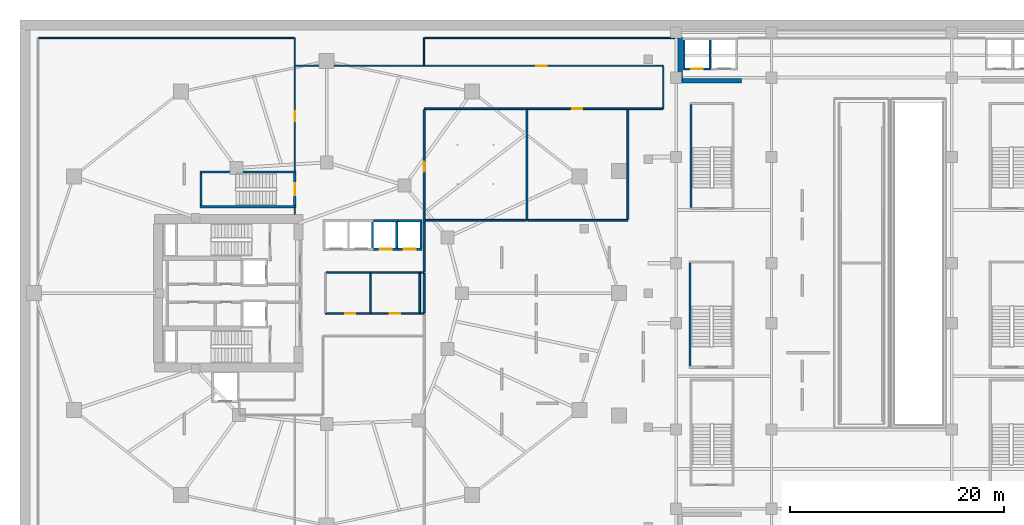
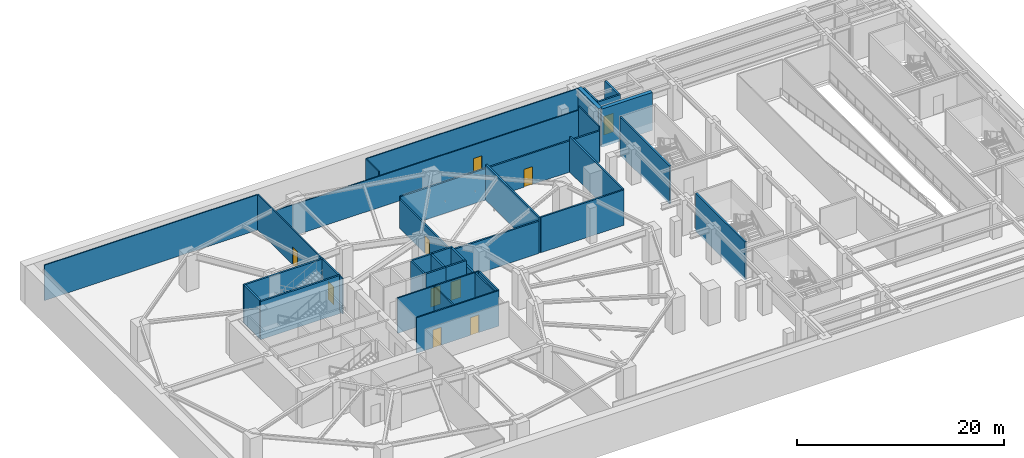
# One storey, part 7 of 16: 36 walls, 10 doors, 10 openings.
"""IFC4 building model written with IfcOpenShell, lengths in metres."""

from ifc_helpers import new_model, si_unit, direction, frame, frame_2d, origin, place, context, subcontext, project, spatial, rectangle, extrude, material, layer, layer_set, type_object, element, fill, save


model = new_model("IFC4")

# Units and contexts
model_context = context("Model", 3, precision=1e-05, world=origin(), true_north=direction((0.0, 1.0)))
body_context = subcontext(model_context, "Body", "Model", "MODEL_VIEW")
ifc_project = project(units=[si_unit("LENGTHUNIT", "METRE"), si_unit("AREAUNIT", "SQUARE_METRE"), si_unit("VOLUMEUNIT", "CUBIC_METRE"), si_unit("PLANEANGLEUNIT", "RADIAN"), si_unit("MASSUNIT", "GRAM", prefix="KILO")], contexts=[model_context])

# Site, building, storey
site_placement = place(None, origin())
site = spatial("IfcSite", under=ifc_project, at=site_placement, CompositionType="ELEMENT")
building_placement = place(site_placement, origin())
building = spatial("IfcBuilding", under=site, at=building_placement, Name="Kolvaren Gate Tower and Convention Centre", CompositionType="ELEMENT")
storey_placement = place(building_placement, frame((0.0, 0.0, -9.0)))
storey = spatial("IfcBuildingStorey", under=building, at=storey_placement, Name="B2", CompositionType="ELEMENT", Elevation=-9.0)

# Wall, opening, door
ifc_material_1 = material(Name="Autoclaved Aerated Masonry Blockwork Class 4 (4.0 MPa)", Category="masonry")
ifc_layer_1 = layer(ifc_material_1, 0.179931640625)
ifc_layer_set_1 = layer_set([ifc_layer_1], Name="Autoclaved Aerated Masonry Blockwork Class 4 (4.0 MPa)")
wall_type_1 = type_object("IfcWallType", Name="ARCH-WL-COMP-180", PredefinedType="SOLIDWALL", material=ifc_layer_set_1)
wall_1_placement = place(storey_placement, frame((39.199951171875, 44.199951171875, 0.0), z_axis=(0.0, 0.0, 1.0), x_axis=(1.0, 0.0, 0.0)))
wall_1 = element("IfcWall", 1, at=wall_1_placement, inside=storey, type_object=wall_type_1, Name="Interior Partition WL-B2-INT-022", PredefinedType="SOLIDWALL", context=body_context, shape_type="SweptSolid", body=[
    extrude(rectangle(XDim=22.238037109375, YDim=0.179931640625, at=frame_2d((11.119140625, 0.0))), origin(), (0.0, 0.0, 1.0), 3.702880859375),
])
opening_1_placement = place(wall_1_placement, frame((13.824951171875, 0.0, 0.0)))
opening_1 = element("IfcOpeningElement", 2, at=opening_1_placement, cuts=wall_1, Name="Opening DR-01", PredefinedType="OPENING", context=body_context, shape_type="SweptSolid", body=[
    extrude(rectangle(XDim=0.949951171875, YDim=2.10009765625, at=frame_2d((0.47509765625, 1.050048828125))), frame((0.0, 0.099853515625, 0.0), z_axis=(0.0, -1.0, 0.0), x_axis=(1.0, 0.0, 0.0)), (0.0, 0.0, 1.0), 0.199951171875),
])
ifc_material_2 = material(Name="Painted Architectural Steelwork ASTM A500 Grade C 345 MPa", Category="steel")
door_type_1 = type_object("IfcDoorType", Name="ARCH-DR-RISER-950", OperationType="SINGLE_SWING_RIGHT", PredefinedType="DOOR", material=ifc_material_2)
door_1_placement = place(opening_1_placement, origin())
door_1 = element("IfcDoor", 3, at=door_1_placement, inside=storey, type_object=door_type_1, Name="Medium-Voltage Dual-Feed Substation Room Door", OperationType="SINGLE_SWING_RIGHT", OverallHeight=2.10009765625, OverallWidth=0.949951171875, PredefinedType="DOOR", context=body_context, shape_type="SweptSolid", body=[
    extrude(rectangle(XDim=0.949951171875, YDim=2.10009765625, at=frame_2d((0.47509765625, 1.050048828125))), frame((0.0, 0.02490234375, 0.0), z_axis=(0.0, -1.0, 0.0), x_axis=(1.0, 0.0, 0.0)), (0.0, 0.0, 1.0), 0.050048828125),
])
fill(opening_1, door_1)

# Wall
wall_2_placement = place(storey_placement, frame((39.199951171875, 25.197021484375, 0.0), z_axis=(0.0, 0.0, 1.0), x_axis=(0.0, 1.0, 0.0)))
element("IfcWall", 4, at=wall_2_placement, inside=storey, type_object=wall_type_1, Name="Interior Partition WL-B2-INT-023 (2)", PredefinedType="SOLIDWALL", context=body_context, shape_type="SweptSolid", body=[
    extrude(rectangle(XDim=3.64599609375, YDim=0.179931640625, at=frame_2d((1.822998046875, 0.0))), origin(), (0.0, 0.0, 1.0), 4.179931640625),
])

# Wall, opening, door
wall_3_placement = place(storey_placement, frame((39.199951171875, 28.9970703125, 0.0), z_axis=(0.0, 0.0, 1.0), x_axis=(0.0, 1.0, 0.0)))
wall_3 = element("IfcWall", 5, at=wall_3_placement, inside=storey, type_object=wall_type_1, Name="Interior Partition WL-B2-INT-023 (3)", PredefinedType="SOLIDWALL", context=body_context, shape_type="SweptSolid", body=[
    extrude(rectangle(XDim=15.11083984375, YDim=0.179931640625, at=frame_2d((7.555419921875, 0.0))), origin(), (0.0, 0.0, 1.0), 3.4140625),
])
opening_2_placement = place(wall_3_placement, frame((9.31201171875, 0.0, 0.0)))
opening_2 = element("IfcOpeningElement", 6, at=opening_2_placement, cuts=wall_3, Name="Opening DR-01", PredefinedType="OPENING", context=body_context, shape_type="SweptSolid", body=[
    extrude(rectangle(XDim=0.949951171875, YDim=2.10009765625, at=frame_2d((0.47509765625, 1.050048828125))), frame((0.0, 0.099853515625, 0.0), z_axis=(0.0, -1.0, 0.0), x_axis=(1.0, 0.0, 0.0)), (0.0, 0.0, 1.0), 0.199951171875),
])
door_2_placement = place(opening_2_placement, origin())
door_2 = element("IfcDoor", 7, at=door_2_placement, inside=storey, type_object=door_type_1, Name="Central Chiller and Ice-Storage Plant Room Door", OperationType="SINGLE_SWING_LEFT", OverallHeight=2.10009765625, OverallWidth=0.949951171875, PredefinedType="DOOR", context=body_context, shape_type="SweptSolid", body=[
    extrude(rectangle(XDim=0.949951171875, YDim=2.10009765625, at=frame_2d((0.47509765625, 1.050048828125))), frame((0.0, 0.02490234375, 0.0), z_axis=(0.0, -1.0, 0.0), x_axis=(1.0, 0.0, 0.0)), (0.0, 0.0, 1.0), 0.050048828125),
])
fill(opening_2, door_2)

# Walls
wall_4_placement = place(storey_placement, frame((48.800048828125, 33.800048828125, 0.0), z_axis=(0.0, 0.0, 1.0), x_axis=(0.0, 1.0, 0.0)))
element("IfcWall", 8, at=wall_4_placement, inside=storey, type_object=wall_type_1, Name="Interior Partition WL-B2-INT-034", PredefinedType="SOLIDWALL", context=body_context, shape_type="SweptSolid", body=[
    extrude(rectangle(XDim=10.307861328125, YDim=0.179931640625, at=frame_2d((5.15380859375, 0.0))), origin(), (0.0, 0.0, 1.0), 4.179931640625),
])
wall_5_placement = place(storey_placement, frame((39.2919921875, 33.800048828125, 0.0), z_axis=(0.0, 0.0, 1.0), x_axis=(1.0, 0.0, 0.0)))
element("IfcWall", 9, at=wall_5_placement, inside=storey, type_object=wall_type_1, Name="Interior Partition WL-B2-INT-035", PredefinedType="SOLIDWALL", context=body_context, shape_type="SweptSolid", body=[
    extrude(rectangle(XDim=9.416015625, YDim=0.179931640625, at=frame_2d((4.7080078125, 0.0))), origin(), (0.0, 0.0, 1.0), 3.81494140625),
])
wall_6_placement = place(storey_placement, frame((48.89208984375, 33.800048828125, 0.0), z_axis=(0.0, 0.0, 1.0), x_axis=(1.0, 0.0, 0.0)))
element("IfcWall", 10, at=wall_6_placement, inside=storey, type_object=wall_type_1, Name="Interior Partition WL-B2-INT-035 (2)", PredefinedType="SOLIDWALL", context=body_context, shape_type="SweptSolid", body=[
    extrude(rectangle(XDim=9.307861328125, YDim=0.179931640625, at=frame_2d((4.65380859375, 0.0))), origin(), (0.0, 0.0, 1.0), 4.179931640625),
])
wall_7_placement = place(storey_placement, frame((58.199951171875, 33.89208984375, 0.0), z_axis=(0.0, 0.0, 1.0), x_axis=(0.0, 1.0, 0.0)))
element("IfcWall", 11, at=wall_7_placement, inside=storey, type_object=wall_type_1, Name="Interior Partition WL-B2-INT-036", PredefinedType="SOLIDWALL", context=body_context, shape_type="SweptSolid", body=[
    extrude(rectangle(XDim=10.2158203125, YDim=0.179931640625, at=frame_2d((5.10791015625, 0.0))), origin(), (0.0, 0.0, 1.0), 4.179931640625),
])
ifc_material_3 = material(Name="Fire-Rated Acoustic Gypsum Stud Partition", Category="gypsum")
ifc_layer_2 = layer(ifc_material_3, 0.1201171875)
ifc_layer_set_2 = layer_set([ifc_layer_2], Name="Fire-Rated Acoustic Gypsum Stud Partition")
wall_type_2 = type_object("IfcWallType", Name="ARCH-WL-PART-120", PredefinedType="PARTITIONING", material=ifc_layer_set_2)
wall_8_placement = place(storey_placement, frame((27.14990234375, 34.35205078125, 0.0), z_axis=(0.0, 0.0, 1.0), x_axis=(0.0, 1.0, 0.0)))
element("IfcWall", 12, at=wall_8_placement, inside=storey, type_object=wall_type_2, Name="Interior Partition WL-B2-INT-018", PredefinedType="PARTITIONING", context=body_context, shape_type="SweptSolid", body=[
    extrude(rectangle(XDim=0.60595703125, YDim=0.1201171875, at=frame_2d((0.302978515625, 0.0))), origin(), (0.0, 0.0, 1.0), 4.179931640625),
])

# Wall, opening, door
wall_9_placement = place(storey_placement, frame((27.14990234375, 38.402099609375, 0.0), z_axis=(0.0, 0.0, 1.0), x_axis=(0.0, 1.0, 0.0)))
wall_9 = element("IfcWall", 13, at=wall_9_placement, inside=storey, type_object=wall_type_2, Name="Interior Partition WL-B2-INT-019", PredefinedType="PARTITIONING", context=body_context, shape_type="SweptSolid", body=[
    extrude(rectangle(XDim=12.39794921875, YDim=0.1201171875, at=frame_2d((6.198974609375, 0.0))), origin(), (0.0, 0.0, 1.0), 4.179931640625),
])
opening_3_placement = place(wall_9_placement, frame((4.62890625, 0.0, 0.0)))
opening_3 = element("IfcOpeningElement", 14, at=opening_3_placement, cuts=wall_9, Name="Opening DR-01", PredefinedType="OPENING", context=body_context, shape_type="SweptSolid", body=[
    extrude(rectangle(XDim=0.949951171875, YDim=2.10009765625, at=frame_2d((0.47509765625, 1.050048828125))), frame((0.0, 0.070068359375, 0.0), z_axis=(0.0, -1.0, 0.0), x_axis=(1.0, 0.0, 0.0)), (0.0, 0.0, 1.0), 0.14013671875),
])
door_3_placement = place(opening_3_placement, origin())
door_3 = element("IfcDoor", 15, at=door_3_placement, inside=storey, type_object=door_type_1, Name="Basement B2 Tower Parking Aisles and Bays Door", OperationType="SINGLE_SWING_RIGHT", OverallHeight=2.10009765625, OverallWidth=0.949951171875, PredefinedType="DOOR", context=body_context, shape_type="SweptSolid", body=[
    extrude(rectangle(XDim=0.949951171875, YDim=2.10009765625, at=frame_2d((0.47509765625, 1.050048828125))), frame((0.0, 0.02490234375, 0.0), z_axis=(0.0, -1.0, 0.0), x_axis=(1.0, 0.0, 0.0)), (0.0, 0.0, 1.0), 0.050048828125),
])
fill(opening_3, door_3)

wall_10_placement = place(storey_placement, frame((27.2119140625, 48.199951171875, 0.0), z_axis=(0.0, 0.0, 1.0), x_axis=(1.0, 0.0, 0.0)))
wall_10 = element("IfcWall", 16, at=wall_10_placement, inside=storey, type_object=wall_type_2, Name="Interior Partition WL-B2-INT-020", PredefinedType="PARTITIONING", context=body_context, shape_type="SweptSolid", body=[
    extrude(rectangle(XDim=34.2880859375, YDim=0.1201171875, at=frame_2d((17.14404296875, 0.0))), origin(), (0.0, 0.0, 1.0), 3.702880859375),
])
opening_4_placement = place(wall_10_placement, frame((22.4580078125, 0.0, 0.0)))
opening_4 = element("IfcOpeningElement", 17, at=opening_4_placement, cuts=wall_10, Name="Opening DR-01", PredefinedType="OPENING", context=body_context, shape_type="SweptSolid", body=[
    extrude(rectangle(XDim=0.949951171875, YDim=2.10009765625, at=frame_2d((0.47509765625, 1.050048828125))), frame((0.0, 0.070068359375, 0.0), z_axis=(0.0, -1.0, 0.0), x_axis=(1.0, 0.0, 0.0)), (0.0, 0.0, 1.0), 0.14013671875),
])
door_4_placement = place(opening_4_placement, origin())
door_4 = element("IfcDoor", 18, at=door_4_placement, inside=storey, type_object=door_type_1, Name="Basement B2 Convention Parking Garage Door", OperationType="SINGLE_SWING_LEFT", OverallHeight=2.10009765625, OverallWidth=0.949951171875, PredefinedType="DOOR", context=body_context, shape_type="SweptSolid", body=[
    extrude(rectangle(XDim=0.949951171875, YDim=2.10009765625, at=frame_2d((0.47509765625, 1.050048828125))), frame((0.0, 0.02490234375, 0.0), z_axis=(0.0, -1.0, 0.0), x_axis=(1.0, 0.0, 0.0)), (0.0, 0.0, 1.0), 0.050048828125),
])
fill(opening_4, door_4)

# Walls
wall_11_placement = place(storey_placement, frame((61.5, 44.199951171875, 0.0), z_axis=(0.0, 0.0, 1.0), x_axis=(0.0, 1.0, 0.0)))
element("IfcWall", 19, at=wall_11_placement, inside=storey, type_object=wall_type_2, Name="Interior Partition WL-B2-INT-021", PredefinedType="PARTITIONING", context=body_context, shape_type="SweptSolid", body=[
    extrude(rectangle(XDim=3.93798828125, YDim=0.1201171875, at=frame_2d((1.968994140625, 0.0))), origin(), (0.0, 0.0, 1.0), 4.179931640625),
])
wall_12_placement = place(storey_placement, frame((39.199951171875, 48.261962890625, 0.0), z_axis=(0.0, 0.0, 1.0), x_axis=(0.0, 1.0, 0.0)))
element("IfcWall", 20, at=wall_12_placement, inside=storey, type_object=wall_type_2, Name="Interior Partition WL-B2-INT-024", PredefinedType="PARTITIONING", context=body_context, shape_type="SweptSolid", body=[
    extrude(rectangle(XDim=2.5380859375, YDim=0.1201171875, at=frame_2d((1.26904296875, 0.0))), origin(), (0.0, 0.0, 1.0), 4.179931640625),
])
wall_13_placement = place(storey_placement, frame((3.261962890625, 50.800048828125, 0.0), z_axis=(0.0, 0.0, 1.0), x_axis=(1.0, 0.0, 0.0)))
element("IfcWall", 21, at=wall_13_placement, inside=storey, type_object=wall_type_2, Name="Interior Partition WL-B2-INT-029", PredefinedType="PARTITIONING", context=body_context, shape_type="SweptSolid", body=[
    extrude(rectangle(XDim=23.825927734375, YDim=0.1201171875, at=frame_2d((11.9130859375, 0.0))), origin(), (0.0, 0.0, 1.0), 4.179931640625),
])
wall_14_placement = place(storey_placement, frame((39.261962890625, 50.800048828125, 0.0), z_axis=(0.0, 0.0, 1.0), x_axis=(1.0, 0.0, 0.0)))
element("IfcWall", 22, at=wall_14_placement, inside=storey, type_object=wall_type_2, Name="Interior Partition WL-B2-INT-030", PredefinedType="PARTITIONING", context=body_context, shape_type="SweptSolid", body=[
    extrude(rectangle(XDim=23.6259765625, YDim=0.1201171875, at=frame_2d((11.81298828125, 0.0))), origin(), (0.0, 0.0, 1.0), 4.179931640625),
])
ifc_layer_3 = layer(ifc_material_1, 0.199951171875)
ifc_layer_set_3 = layer_set([ifc_layer_3], Name="Autoclaved Aerated Masonry Blockwork Class 4 (4.0 MPa)")
wall_type_3 = type_object("IfcWallType", Name="ARCH-WL-SHAFT-200", PredefinedType="SOLIDWALL", material=ifc_layer_set_3)
wall_15_placement = place(storey_placement, frame((34.39990234375, 31.2099609375, 0.0), z_axis=(0.0, 0.0, 1.0), x_axis=(0.0, 1.0, 0.0)))
element("IfcWall", 23, at=wall_15_placement, inside=storey, type_object=wall_type_3, Name="Elevator PL-02 B2 Fire Shaft Wall E", PredefinedType="SOLIDWALL", context=body_context, shape_type="SweptSolid", body=[
    extrude(rectangle(XDim=2.429931640625, YDim=0.199951171875, at=frame_2d((1.21484375, 0.0))), origin(), (0.0, 0.0, 1.0), 4.179931640625),
])
wall_16_placement = place(storey_placement, frame((34.5, 33.75, 0.0), z_axis=(0.0, 0.0, 1.0), x_axis=(1.0, 0.0, 0.0)))
element("IfcWall", 24, at=wall_16_placement, inside=storey, type_object=wall_type_3, Name="Elevator PL-03 B2 Fire Shaft Wall N", PredefinedType="SOLIDWALL", context=body_context, shape_type="SweptSolid", body=[
    extrude(rectangle(XDim=2.25, YDim=0.199951171875, at=frame_2d((1.125, 0.0))), origin(), (0.0, 0.0, 1.0), 4.179931640625),
])

# Wall, opening, door
wall_17_placement = place(storey_placement, frame((34.5, 31.10009765625, 0.0), z_axis=(0.0, 0.0, 1.0), x_axis=(1.0, 0.0, 0.0)))
wall_17 = element("IfcWall", 25, at=wall_17_placement, inside=storey, type_object=wall_type_3, Name="Elevator PL-03 B2 Fire Shaft Wall S", PredefinedType="SOLIDWALL", context=body_context, shape_type="SweptSolid", body=[
    extrude(rectangle(XDim=2.25, YDim=0.199951171875, at=frame_2d((1.125, 0.0))), origin(), (0.0, 0.0, 1.0), 4.179931640625),
])
opening_5_placement = place(wall_17_placement, frame((0.574951171875, 0.0, 0.0)))
opening_5 = element("IfcOpeningElement", 26, at=opening_5_placement, cuts=wall_17, Name="Opening LD", PredefinedType="OPENING", context=body_context, shape_type="SweptSolid", body=[
    extrude(rectangle(XDim=1.10009765625, YDim=2.199951171875, at=frame_2d((0.550048828125, 1.10009765625))), frame((0.0, 0.10986328125, 0.0), z_axis=(0.0, -1.0, 0.0), x_axis=(1.0, 0.0, 0.0)), (0.0, 0.0, 1.0), 0.219970703125),
])
ifc_material_4 = material(Name="Brushed Stainless Steel Grade 316L", Category="steel")
door_type_2 = type_object("IfcDoorType", Name="ARCH-DR-LIFT-1100", OperationType="SLIDING_TO_LEFT", PredefinedType="DOOR", material=ifc_material_4)
door_5_placement = place(opening_5_placement, origin())
door_5 = element("IfcDoor", 27, at=door_5_placement, inside=storey, type_object=door_type_2, Name="Elevator PL-03 B2 Sliding Landing Door", OperationType="SLIDING_TO_LEFT", OverallHeight=2.199951171875, OverallWidth=1.10009765625, PredefinedType="DOOR", context=body_context, shape_type="SweptSolid", body=[
    extrude(rectangle(XDim=1.10009765625, YDim=2.199951171875, at=frame_2d((0.550048828125, 1.10009765625))), frame((0.0, 0.02490234375, 0.0), z_axis=(0.0, -1.0, 0.0), x_axis=(1.0, 0.0, 0.0)), (0.0, 0.0, 1.0), 0.050048828125),
])
fill(opening_5, door_5)

# Walls
wall_18_placement = place(storey_placement, frame((36.64990234375, 31.2099609375, 0.0), z_axis=(0.0, 0.0, 1.0), x_axis=(0.0, 1.0, 0.0)))
element("IfcWall", 28, at=wall_18_placement, inside=storey, type_object=wall_type_3, Name="Elevator PL-03 B2 Fire Shaft Wall E", PredefinedType="SOLIDWALL", context=body_context, shape_type="SweptSolid", body=[
    extrude(rectangle(XDim=2.429931640625, YDim=0.199951171875, at=frame_2d((1.21484375, 0.0))), origin(), (0.0, 0.0, 1.0), 4.179931640625),
])
wall_19_placement = place(storey_placement, frame((36.75, 33.75, 0.0), z_axis=(0.0, 0.0, 1.0), x_axis=(1.0, 0.0, 0.0)))
element("IfcWall", 29, at=wall_19_placement, inside=storey, type_object=wall_type_3, Name="Elevator PL-04 B2 Fire Shaft Wall N", PredefinedType="SOLIDWALL", context=body_context, shape_type="SweptSolid", body=[
    extrude(rectangle(XDim=2.25, YDim=0.199951171875, at=frame_2d((1.125, 0.0))), origin(), (0.0, 0.0, 1.0), 4.179931640625),
])

# Wall, opening, door
wall_20_placement = place(storey_placement, frame((36.75, 31.10009765625, 0.0), z_axis=(0.0, 0.0, 1.0), x_axis=(1.0, 0.0, 0.0)))
wall_20 = element("IfcWall", 30, at=wall_20_placement, inside=storey, type_object=wall_type_3, Name="Elevator PL-04 B2 Fire Shaft Wall S", PredefinedType="SOLIDWALL", context=body_context, shape_type="SweptSolid", body=[
    extrude(rectangle(XDim=2.25, YDim=0.199951171875, at=frame_2d((1.125, 0.0))), origin(), (0.0, 0.0, 1.0), 4.179931640625),
])
opening_6_placement = place(wall_20_placement, frame((0.574951171875, 0.0, 0.0)))
opening_6 = element("IfcOpeningElement", 31, at=opening_6_placement, cuts=wall_20, Name="Opening LD", PredefinedType="OPENING", context=body_context, shape_type="SweptSolid", body=[
    extrude(rectangle(XDim=1.10009765625, YDim=2.199951171875, at=frame_2d((0.550048828125, 1.10009765625))), frame((0.0, 0.10986328125, 0.0), z_axis=(0.0, -1.0, 0.0), x_axis=(1.0, 0.0, 0.0)), (0.0, 0.0, 1.0), 0.219970703125),
])
door_6_placement = place(opening_6_placement, origin())
door_6 = element("IfcDoor", 32, at=door_6_placement, inside=storey, type_object=door_type_2, Name="Elevator PL-04 B2 Sliding Landing Door", OperationType="SLIDING_TO_LEFT", OverallHeight=2.199951171875, OverallWidth=1.10009765625, PredefinedType="DOOR", context=body_context, shape_type="SweptSolid", body=[
    extrude(rectangle(XDim=1.10009765625, YDim=2.199951171875, at=frame_2d((0.550048828125, 1.10009765625))), frame((0.0, 0.02490234375, 0.0), z_axis=(0.0, -1.0, 0.0), x_axis=(1.0, 0.0, 0.0)), (0.0, 0.0, 1.0), 0.050048828125),
])
fill(opening_6, door_6)

# Wall
wall_21_placement = place(storey_placement, frame((38.89990234375, 31.2099609375, 0.0), z_axis=(0.0, 0.0, 1.0), x_axis=(0.0, 1.0, 0.0)))
element("IfcWall", 33, at=wall_21_placement, inside=storey, type_object=wall_type_3, Name="Elevator PL-04 B2 Fire Shaft Wall E", PredefinedType="SOLIDWALL", context=body_context, shape_type="SweptSolid", body=[
    extrude(rectangle(XDim=2.429931640625, YDim=0.199951171875, at=frame_2d((1.21484375, 0.0))), origin(), (0.0, 0.0, 1.0), 4.179931640625),
])

# Wall, opening, door
wall_22_placement = place(storey_placement, frame((63.35009765625, 47.89990234375, 0.0), z_axis=(0.0, 0.0, 1.0), x_axis=(1.0, 0.0, 0.0)))
wall_22 = element("IfcWall", 34, at=wall_22_placement, inside=storey, type_object=wall_type_3, Name="Elevator CL-01 B2 Fire Shaft Wall S", PredefinedType="SOLIDWALL", context=body_context, shape_type="SweptSolid", body=[
    extrude(rectangle(XDim=2.599853515625, YDim=0.199951171875, at=frame_2d((1.2998046875, 0.0))), origin(), (0.0, 0.0, 1.0), 4.179931640625),
])
opening_7_placement = place(wall_22_placement, frame((0.75, 0.0, 0.0)))
opening_7 = element("IfcOpeningElement", 35, at=opening_7_placement, cuts=wall_22, Name="Opening LD", PredefinedType="OPENING", context=body_context, shape_type="SweptSolid", body=[
    extrude(rectangle(XDim=1.10009765625, YDim=2.199951171875, at=frame_2d((0.550048828125, 1.10009765625))), frame((0.0, 0.10986328125, 0.0), z_axis=(0.0, -1.0, 0.0), x_axis=(1.0, 0.0, 0.0)), (0.0, 0.0, 1.0), 0.219970703125),
])
door_7_placement = place(opening_7_placement, origin())
door_7 = element("IfcDoor", 36, at=door_7_placement, inside=storey, type_object=door_type_2, Name="Elevator CL-01 B2 Sliding Landing Door", OperationType="SLIDING_TO_LEFT", OverallHeight=2.199951171875, OverallWidth=1.10009765625, PredefinedType="DOOR", context=body_context, shape_type="SweptSolid", body=[
    extrude(rectangle(XDim=1.10009765625, YDim=2.199951171875, at=frame_2d((0.550048828125, 1.10009765625))), frame((0.0, 0.02490234375, 0.0), z_axis=(0.0, -1.0, 0.0), x_axis=(1.0, 0.0, 0.0)), (0.0, 0.0, 1.0), 0.050048828125),
])
fill(opening_7, door_7)

# Walls
for number, where, z_axis, x_axis, name in (
    (37, (63.449951171875, 48.010009765625, 0.0), (0.0, 0.0, 1.0), (0.0, 1.0, 0.0), "Elevator CL-01 B2 Fire Shaft Wall W"),
    (38, (65.85009765625, 48.010009765625, 0.0), (0.0, 0.0, 1.0), (0.0, 1.0, 0.0), "Elevator CL-01 B2 Fire Shaft Wall E"),
):
    element("IfcWall", number, at=place(storey_placement, frame(where, z_axis=z_axis, x_axis=x_axis)), inside=storey, type_object=wall_type_3, Name=name, PredefinedType="SOLIDWALL", context=body_context, shape_type="SweptSolid", body=[
        extrude(rectangle(XDim=2.580078125, YDim=0.199951171875, at=frame_2d((1.2900390625, 0.0))), origin(), (0.0, 0.0, 1.0), 4.179931640625),
    ])

# Wall, openings, doors
ifc_material_5 = material(Name="Moisture-Resistant Cement-Board Acoustic Partition", Category="gypsum")
ifc_layer_4 = layer(ifc_material_5, 0.14990234375)
ifc_layer_set_4 = layer_set([ifc_layer_4], Name="Moisture-Resistant Cement-Board Acoustic Partition")
wall_type_4 = type_object("IfcWallType", Name="ARCH-WL-WET-150", PredefinedType="PARTITIONING", material=ifc_layer_set_4)
wall_23_placement = place(storey_placement, frame((30.0, 25.1201171875, 0.0), z_axis=(0.0, 0.0, 1.0), x_axis=(1.0, 0.0, 0.0)))
wall_23 = element("IfcWall", 39, at=wall_23_placement, inside=storey, type_object=wall_type_4, Name="Interior Partition WL-B2-INT-009", PredefinedType="PARTITIONING", context=body_context, shape_type="SweptSolid", body=[
    extrude(rectangle(XDim=9.199951171875, YDim=0.14990234375, at=frame_2d((4.60009765625, 0.0))), origin(), (0.0, 0.0, 1.0), 4.179931640625),
])
opening_8_placement = place(wall_23_placement, frame((1.830078125, 0.0, 0.0)))
opening_8 = element("IfcOpeningElement", 40, at=opening_8_placement, cuts=wall_23, Name="Opening DR-01", PredefinedType="OPENING", context=body_context, shape_type="SweptSolid", body=[
    extrude(rectangle(XDim=0.949951171875, YDim=2.10009765625, at=frame_2d((0.47509765625, 1.050048828125))), frame((0.0, 0.0849609375, 0.0), z_axis=(0.0, -1.0, 0.0), x_axis=(1.0, 0.0, 0.0)), (0.0, 0.0, 1.0), 0.169921875),
])
opening_9_placement = place(wall_23_placement, frame((6.02001953125, 0.0, 0.0)))
opening_9 = element("IfcOpeningElement", 41, at=opening_9_placement, cuts=wall_23, Name="Opening DR-01", PredefinedType="OPENING", context=body_context, shape_type="SweptSolid", body=[
    extrude(rectangle(XDim=0.949951171875, YDim=2.10009765625, at=frame_2d((0.47509765625, 1.050048828125))), frame((0.0, 0.0849609375, 0.0), z_axis=(0.0, -1.0, 0.0), x_axis=(1.0, 0.0, 0.0)), (0.0, 0.0, 1.0), 0.169921875),
])
door_8_placement = place(opening_8_placement, origin())
door_8 = element("IfcDoor", 42, at=door_8_placement, inside=storey, type_object=door_type_1, Name="Basement Accessible Restroom Door", OperationType="SINGLE_SWING_RIGHT", OverallHeight=2.10009765625, OverallWidth=0.949951171875, PredefinedType="DOOR", context=body_context, shape_type="SweptSolid", body=[
    extrude(rectangle(XDim=0.949951171875, YDim=2.10009765625, at=frame_2d((0.47509765625, 1.050048828125))), frame((0.0, 0.02490234375, 0.0), z_axis=(0.0, -1.0, 0.0), x_axis=(1.0, 0.0, 0.0)), (0.0, 0.0, 1.0), 0.050048828125),
])
fill(opening_8, door_8)
door_9_placement = place(opening_9_placement, origin())
door_9 = element("IfcDoor", 43, at=door_9_placement, inside=storey, type_object=door_type_1, Name="Basement Janitor and Maintenance Store Door", OperationType="SINGLE_SWING_LEFT", OverallHeight=2.10009765625, OverallWidth=0.949951171875, PredefinedType="DOOR", context=body_context, shape_type="SweptSolid", body=[
    extrude(rectangle(XDim=0.949951171875, YDim=2.10009765625, at=frame_2d((0.47509765625, 1.050048828125))), frame((0.0, 0.02490234375, 0.0), z_axis=(0.0, -1.0, 0.0), x_axis=(1.0, 0.0, 0.0)), (0.0, 0.0, 1.0), 0.050048828125),
])
fill(opening_9, door_9)

# Walls
wall_24_placement = place(storey_placement, frame((30.076904296875, 28.919921875, 0.0), z_axis=(0.0, 0.0, 1.0), x_axis=(1.0, 0.0, 0.0)))
element("IfcWall", 44, at=wall_24_placement, inside=storey, type_object=wall_type_4, Name="Interior Partition WL-B2-INT-011", PredefinedType="PARTITIONING", context=body_context, shape_type="SweptSolid", body=[
    extrude(rectangle(XDim=9.123046875, YDim=0.14990234375, at=frame_2d((4.5615234375, 0.0))), origin(), (0.0, 0.0, 1.0), 4.179931640625),
])
for number, where, z_axis, x_axis, name in (
    (45, (34.199951171875, 25.197021484375, 0.0), (0.0, 0.0, 1.0), (0.0, 1.0, 0.0), "Interior Partition WL-B2-INT-012"),
    (46, (38.800048828125, 25.197021484375, 0.0), (0.0, 0.0, 1.0), (0.0, 1.0, 0.0), "Interior Partition WL-B2-INT-013"),
):
    element("IfcWall", number, at=place(storey_placement, frame(where, z_axis=z_axis, x_axis=x_axis)), inside=storey, type_object=wall_type_4, Name=name, PredefinedType="PARTITIONING", context=body_context, shape_type="SweptSolid", body=[
        extrude(rectangle(XDim=3.64599609375, YDim=0.14990234375, at=frame_2d((1.822998046875, 0.0))), origin(), (0.0, 0.0, 1.0), 4.179931640625),
    ])
ifc_material_6 = material(Name="Concrete C50/60", Category="concrete")
ifc_layer_5 = layer(ifc_material_6, 0.419921875)
ifc_layer_set_5 = layer_set([ifc_layer_5], Name="Concrete C50/60")
wall_type_5 = type_object("IfcWallType", Name="STR-WL-CONV-420", PredefinedType="SHEAR", material=ifc_layer_set_5)
wall_25_placement = place(storey_placement, frame((63.10009765625, 46.800048828125, -0.320068359375), z_axis=(0.0, 0.0, 1.0), x_axis=(0.0, 1.0, 0.0)))
element("IfcWall", 47, at=wall_25_placement, inside=storey, type_object=wall_type_5, Name="Convention B2 Shear Core Wall CCNW-W", PredefinedType="SHEAR", context=body_context, shape_type="SweptSolid", body=[
    extrude(rectangle(XDim=4.099853515625, YDim=0.419921875, at=frame_2d((2.0498046875, 0.0))), origin(), (0.0, 0.0, 1.0), 4.5),
])
wall_26_placement = place(storey_placement, frame((63.10009765625, 46.800048828125, -0.320068359375), z_axis=(0.0, 0.0, 1.0), x_axis=(1.0, 0.0, 0.0)))
element("IfcWall", 48, at=wall_26_placement, inside=storey, type_object=wall_type_5, Name="Convention B2 Shear Core Wall CCNW-S", PredefinedType="SHEAR", context=body_context, shape_type="SweptSolid", body=[
    extrude(rectangle(XDim=5.699951171875, YDim=0.419921875, at=frame_2d((2.85009765625, 0.0))), origin(), (0.0, 0.0, 1.0), 4.5),
])

# Wall, opening, door
ifc_layer_6 = layer(ifc_material_6, 0.199951171875)
ifc_layer_set_6 = layer_set([ifc_layer_6], Name="Concrete C50/60")
wall_type_6 = type_object("IfcWallType", Name="STR-WL-SHAFT-200", PredefinedType="SHEAR", material=ifc_layer_set_6)
wall_27_placement = place(storey_placement, frame((27.14990234375, 35.159912109375, -0.320068359375), z_axis=(0.0, 0.0, 1.0), x_axis=(0.0, 1.0, 0.0)))
wall_27 = element("IfcWall", 49, at=wall_27_placement, inside=storey, type_object=wall_type_6, Name="Tower Mid-Zone Exit Stair ST-T3 B2 Structural Shear Enclosure Wall NEAR", PredefinedType="SHEAR", context=body_context, shape_type="SweptSolid", body=[
    extrude(rectangle(XDim=3.0400390625, YDim=0.199951171875, at=frame_2d((1.52001953125, 0.0))), origin(), (0.0, 0.0, 1.0), 4.5),
])
opening_10_placement = place(wall_27_placement, frame((0.969970703125, 0.0, 0.320068359375)))
opening_10 = element("IfcOpeningElement", 50, at=opening_10_placement, cuts=wall_27, Name="Opening DS-01", PredefinedType="OPENING", context=body_context, shape_type="SweptSolid", body=[
    extrude(rectangle(XDim=1.10009765625, YDim=2.14990234375, at=frame_2d((0.550048828125, 1.074951171875))), frame((0.0, 0.10986328125, 0.0), z_axis=(0.0, -1.0, 0.0), x_axis=(1.0, 0.0, 0.0)), (0.0, 0.0, 1.0), 0.219970703125),
])
door_type_3 = type_object("IfcDoorType", Name="ARCH-DR-STAIR-1100", OperationType="SINGLE_SWING_LEFT", PredefinedType="DOOR", material=ifc_material_2)
door_10_placement = place(opening_10_placement, origin())
door_10 = element("IfcDoor", 51, at=door_10_placement, inside=storey, type_object=door_type_3, Name="Tower Mid-Zone Exit Stair ST-T3 B2 Fire Exit Stair Door", OperationType="SINGLE_SWING_RIGHT", OverallHeight=2.14990234375, OverallWidth=1.10009765625, PredefinedType="DOOR", context=body_context, shape_type="SweptSolid", body=[
    extrude(rectangle(XDim=1.10009765625, YDim=2.14990234375, at=frame_2d((0.550048828125, 1.074951171875))), frame((0.0, 0.02490234375, 0.0), z_axis=(0.0, -1.0, 0.0), x_axis=(1.0, 0.0, 0.0)), (0.0, 0.0, 1.0), 0.050048828125),
])
fill(opening_10, door_10)

# Walls
wall_28_placement = place(storey_placement, frame((18.39990234375, 35.159912109375, -0.320068359375), z_axis=(0.0, 0.0, 1.0), x_axis=(0.0, 1.0, 0.0)))
element("IfcWall", 52, at=wall_28_placement, inside=storey, type_object=wall_type_6, Name="Tower Mid-Zone Exit Stair ST-T3 B2 Structural Shear Enclosure Wall FAR", PredefinedType="SHEAR", context=body_context, shape_type="SweptSolid", body=[
    extrude(rectangle(XDim=3.0400390625, YDim=0.199951171875, at=frame_2d((1.52001953125, 0.0))), origin(), (0.0, 0.0, 1.0), 4.5),
])
for number, where, z_axis, x_axis, name in (
    (53, (18.300048828125, 38.300048828125, -0.320068359375), (0.0, 0.0, 1.0), (1.0, 0.0, 0.0), "Tower Mid-Zone Exit Stair ST-T3 B2 Structural Shear Enclosure Wall LEFT"),
    (54, (18.300048828125, 35.06005859375, -0.320068359375), (0.0, 0.0, 1.0), (1.0, 0.0, 0.0), "Tower Mid-Zone Exit Stair ST-T3 B2 Structural Shear Enclosure Wall RGHT"),
):
    element("IfcWall", number, at=place(storey_placement, frame(where, z_axis=z_axis, x_axis=x_axis)), inside=storey, type_object=wall_type_6, Name=name, PredefinedType="SHEAR", context=body_context, shape_type="SweptSolid", body=[
        extrude(rectangle(XDim=8.949951171875, YDim=0.199951171875, at=frame_2d((4.47509765625, 0.0))), origin(), (0.0, 0.0, 1.0), 4.5),
    ])
wall_29_placement = place(storey_placement, frame((64.10009765625, 35.001953125, -0.320068359375), z_axis=(0.0, 0.0, 1.0), x_axis=(0.0, 1.0, 0.0)))
element("IfcWall", 55, at=wall_29_placement, inside=storey, type_object=wall_type_6, Name="Convention NW Exit Stair ST-C1 B2 Structural Shear Enclosure Wall WEST", PredefinedType="SHEAR", context=body_context, shape_type="SweptSolid", body=[
    extrude(rectangle(XDim=9.595947265625, YDim=0.199951171875, at=frame_2d((4.7978515625, 0.0))), origin(), (0.0, 0.0, 1.0), 4.5),
])
wall_30_placement = place(storey_placement, frame((64.0, 20.201904296875, -0.320068359375), z_axis=(0.0, 0.0, 1.0), x_axis=(0.0, 1.0, 0.0)))
element("IfcWall", 56, at=wall_30_placement, inside=storey, type_object=wall_type_6, Name="Convention West Assembly Stair ST-C5 B2 Structural Shear Enclosure Wall WEST", PredefinedType="SHEAR", context=body_context, shape_type="SweptSolid", body=[
    extrude(rectangle(XDim=9.59619140625, YDim=0.199951171875, at=frame_2d((4.798095703125, 0.0))), origin(), (0.0, 0.0, 1.0), 4.5),
])

save(model, "model.ifc")
